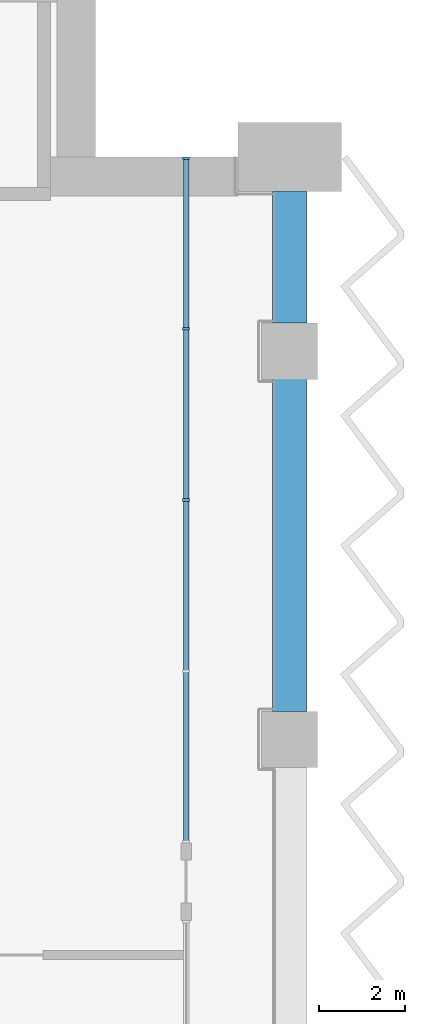
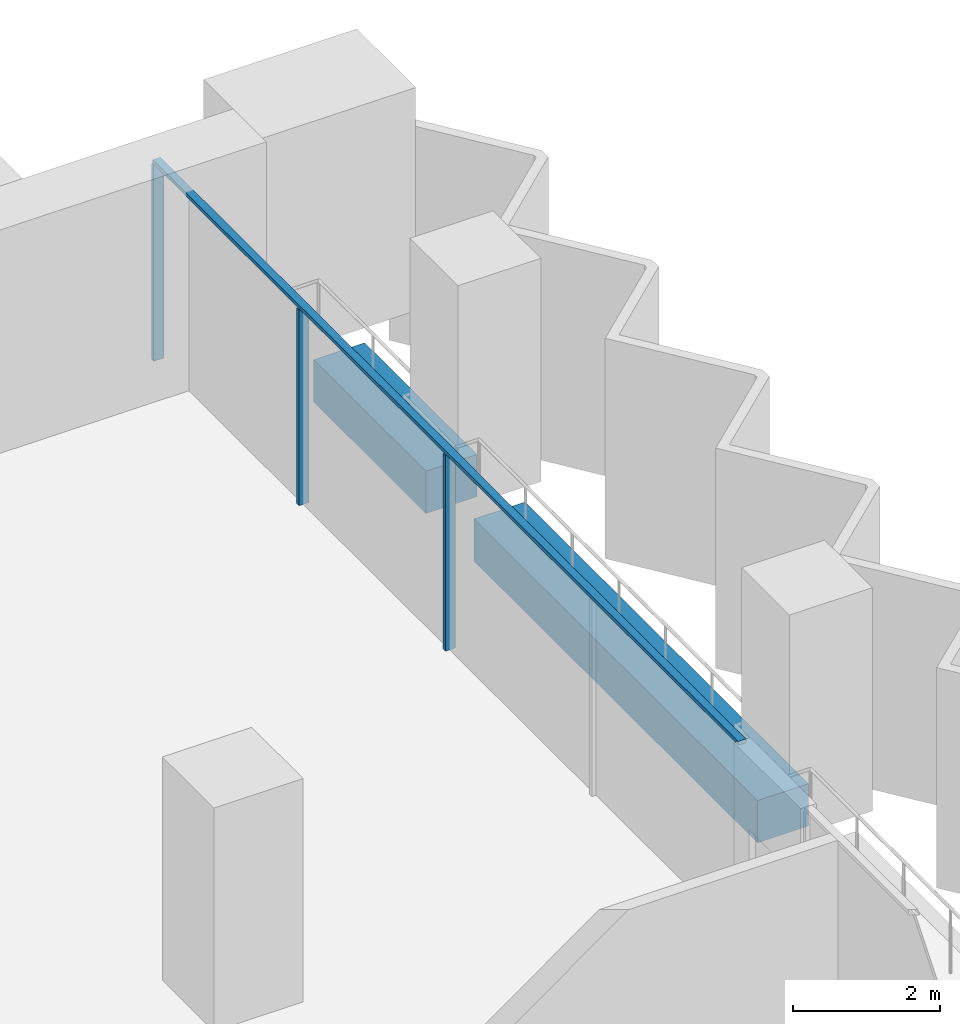
# One storey, part 7 of 29: 4 members, 2 beams, 1 element without a shape of its own.
"""IFC4 building model written with IfcOpenShell, lengths in metres."""

import ifcopenshell
import ifcopenshell.guid

model = None  # the IFC model being written
_history = None  # IfcOwnerHistory: only IFC2X3 demands one
_inside = {}  # id of a spatial element -> (the spatial element, [elements in it])
_under = {}  # id of a project, library or spatial element -> (it, [spatial elements below it])
_declared = {}  # id of a project -> (the project, [libraries it declares])
_typed = {}  # id of a type object -> (the type object, [elements of that type])
_made_of = {}  # id of a material, layer set ... -> (it, [elements and type objects made of it])


def new_model(schema):
    """Start an empty IFC model of exactly this schema.

    Asked for "IFC4X3", IfcOpenShell would pick the latest addendum, in which some entities
    have other attributes; the version numbers below select the first issue.
    IFC2X3 requires an IfcOwnerHistory on every rooted entity: one is made here for all.
    """
    global model, _history
    if schema == "IFC4X3":
        model = ifcopenshell.file(schema_version=(4, 3, 0, 0))
    else:
        model = ifcopenshell.file(schema=schema)
    _inside.clear()
    _under.clear()
    _declared.clear()
    _typed.clear()
    _made_of.clear()
    _history = None
    if model.schema == "IFC2X3":
        org = make("IfcOrganization", Name="unknown")
        user = make(
            "IfcPersonAndOrganization",
            ThePerson=make("IfcPerson", FamilyName="unknown"),
            TheOrganization=org,
        )
        app = make(
            "IfcApplication",
            ApplicationDeveloper=org,
            Version="unknown",
            ApplicationFullName="unknown",
            ApplicationIdentifier="unknown",
        )
        _history = make(
            "IfcOwnerHistory",
            OwningUser=user,
            OwningApplication=app,
            ChangeAction="ADDED",
            CreationDate=0,
        )
    return model


def make(cls, **values):
    """One entity of the class cls with the attributes given. An attribute that is None is left unset."""
    return model.create_entity(
        cls, **{name: value for name, value in values.items() if value is not None}
    )


def rooted(cls, **values):
    """An entity with a GlobalId (a new one), such as an element, a storey or a relation."""
    return make(cls, GlobalId=ifcopenshell.guid.new(), OwnerHistory=_history, **values)


def si_unit(unit_type, name, prefix=None):
    """IfcSIUnit, for example si_unit("LENGTHUNIT", "METRE", prefix="MILLI")."""
    return make("IfcSIUnit", UnitType=unit_type, Prefix=prefix, Name=name)


def assignment(units):
    """IfcUnitAssignment: the units of a project."""
    return None if units is None else make("IfcUnitAssignment", Units=units)


def point(xyz):
    """IfcCartesianPoint."""
    return None if xyz is None else make("IfcCartesianPoint", Coordinates=xyz)


def direction(xyz):
    """IfcDirection."""
    return None if xyz is None else make("IfcDirection", DirectionRatios=xyz)


def frame(location, z_axis=None, x_axis=None):
    """IfcAxis2Placement3D, a coordinate frame: its origin and axes. An axis left out is left unset."""
    return make(
        "IfcAxis2Placement3D",
        Location=point(location),
        Axis=direction(z_axis),
        RefDirection=direction(x_axis),
    )


def frame_2d(location, x_axis=None):
    """IfcAxis2Placement2D, a coordinate frame in the plane: its origin and x axis."""
    return make(
        "IfcAxis2Placement2D", Location=point(location), RefDirection=direction(x_axis)
    )


def origin():
    """The frame at (0, 0, 0) with its axes left unset."""
    return frame((0.0, 0.0, 0.0))


def origin_2d():
    """The frame at (0, 0) in the plane with its x axis left unset."""
    return frame_2d((0.0, 0.0))


def place(relative_to, where):
    """IfcLocalPlacement: puts the frame where relative to a parent placement (None: the world)."""
    return make(
        "IfcLocalPlacement", PlacementRelTo=relative_to, RelativePlacement=where
    )


def context(
    kind, dimensions, precision=None, world=None, true_north=None, identifier=None
):
    """IfcGeometricRepresentationContext, for example the 3D "Model" context."""
    return make(
        "IfcGeometricRepresentationContext",
        ContextIdentifier=identifier,
        ContextType=kind,
        CoordinateSpaceDimension=dimensions,
        Precision=precision,
        WorldCoordinateSystem=world,
        TrueNorth=true_north,
    )


def subcontext(parent, identifier, kind, view, scale=None):
    """IfcGeometricRepresentationSubContext, for example "Body" below "Model"."""
    return make(
        "IfcGeometricRepresentationSubContext",
        ContextIdentifier=identifier,
        ContextType=kind,
        ParentContext=parent,
        TargetScale=scale,
        TargetView=view,
    )


def project(units=None, contexts=None):
    """IfcProject with its units and contexts."""
    return rooted(
        "IfcProject",
        Name="project",
        RepresentationContexts=contexts,
        UnitsInContext=assignment(units),
    )


def spatial(cls, under=None, at=None, **own):
    """A site, building, storey or space (cls), placed at a placement, below another one or the project."""
    s = rooted(cls, ObjectPlacement=at, **own)
    if under is not None:
        _under.setdefault(under.id(), (under, []))[1].append(s)
    return s


def profile(cls, at=None, kind="AREA", **sizes):
    """A parametric profile (cls). Its sizes go by their IFC names, for example OverallWidth=200.0."""
    return make(cls, ProfileType=kind, Position=at, **sizes)


def rectangle(**sizes):
    """IfcRectangleProfileDef."""
    return profile("IfcRectangleProfileDef", **sizes)


def extrude(swept, where, along, depth):
    """IfcExtrudedAreaSolid: the profile swept, set in the frame where, extruded along a direction by depth."""
    return make(
        "IfcExtrudedAreaSolid",
        SweptArea=swept,
        Position=where,
        ExtrudedDirection=direction(along),
        Depth=depth,
    )


def shape(context_of_items, identifier, shape_type, items):
    """IfcShapeRepresentation: the items that make up one representation, for example the "Body"."""
    return make(
        "IfcShapeRepresentation",
        ContextOfItems=context_of_items,
        RepresentationIdentifier=identifier,
        RepresentationType=shape_type,
        Items=items,
    )


def material(Name=None, Category=None):
    """IfcMaterial."""
    return make("IfcMaterial", Name=Name, Category=Category)


def material_profile(
    of_material, cross_section, Name=None, Category=None, Priority=None
):
    """IfcMaterialProfile: a cross section and its material."""
    return make(
        "IfcMaterialProfile",
        Name=Name,
        Material=of_material,
        Profile=cross_section,
        Priority=Priority,
        Category=Category,
    )


def profile_set(profiles, Name=None, composite=None):
    """IfcMaterialProfileSet."""
    return make(
        "IfcMaterialProfileSet",
        Name=Name,
        MaterialProfiles=profiles,
        CompositeProfile=composite,
    )


def made_of(thing, what):
    """Note that an element or type object is made of a material, layer set ...; save() writes the relation."""
    if what is not None:
        _made_of.setdefault(what.id(), (what, []))[1].append(thing)
    return thing


def type_object(cls, material=None, **own):
    """A type object (cls), such as IfcWallType, which elements share."""
    return made_of(rooted(cls, **own), material)


def element(
    cls,
    number,
    at=None,
    inside=None,
    cuts=None,
    type_object=None,
    material=None,
    context=None,
    identifier="Body",
    shape_type=None,
    held_by="IfcProductDefinitionShape",
    body=None,
    shapes=None,
    **own,
):
    """One element of the class cls, such as IfcWall. Its Tag is "e" and its number.

    at: its placement. inside: the storey or other place that contains it. cuts: it is an
    opening in that element (IfcRelVoidsElement). A single representation is given by context,
    identifier, shape_type and body (its items); several are given by shapes. held_by: the class
    of the entity that holds the representations. save() writes the other relations.
    """
    e = rooted(cls, Tag="e%d" % number, ObjectPlacement=at, **own)
    if body is not None:
        shapes = [shape(context, identifier, shape_type, body)]
    if shapes is not None:
        e.Representation = make(held_by, Representations=shapes)
    if inside is not None:
        _inside.setdefault(inside.id(), (inside, []))[1].append(e)
    if cuts is not None:
        rooted(
            "IfcRelVoidsElement", RelatingBuildingElement=cuts, RelatedOpeningElement=e
        )
    if type_object is not None:
        _typed.setdefault(type_object.id(), (type_object, []))[1].append(e)
    return made_of(e, material)


def aggregate(whole, parts):
    """IfcRelAggregates: a whole, such as a stair, and the parts it consists of."""
    return rooted("IfcRelAggregates", RelatingObject=whole, RelatedObjects=parts)


def save(model, path):
    """Write the relations noted so far, then the file.

    IfcRelAggregates (storeys below a building ...), IfcRelContainedInSpatialStructure (elements
    in a storey), IfcRelDefinesByType, IfcRelAssociatesMaterial and IfcRelDeclares: one each for
    every whole, place, type object, material and project.
    """
    for whole, parts in _under.values():
        aggregate(whole, parts)
    for where, things in _inside.values():
        rooted(
            "IfcRelContainedInSpatialStructure",
            RelatedElements=things,
            RelatingStructure=where,
        )
    for kind, things in _typed.values():
        rooted("IfcRelDefinesByType", RelatedObjects=things, RelatingType=kind)
    for what, things in _made_of.values():
        rooted("IfcRelAssociatesMaterial", RelatedObjects=things, RelatingMaterial=what)
    for by, libraries in _declared.values():
        rooted("IfcRelDeclares", RelatingContext=by, RelatedDefinitions=libraries)
    model.write(path)


model = new_model("IFC4")

# Units and contexts
model_context = context("Model", 3, precision=1e-05, world=origin(), true_north=direction((0.0, 1.0)))
body_context = subcontext(model_context, "Body", "Model", "MODEL_VIEW")
ifc_project = project(units=[si_unit("LENGTHUNIT", "METRE"), si_unit("AREAUNIT", "SQUARE_METRE"), si_unit("VOLUMEUNIT", "CUBIC_METRE"), si_unit("PLANEANGLEUNIT", "RADIAN"), si_unit("MASSUNIT", "GRAM", prefix="KILO")], contexts=[model_context])

# Site, building, storey
site_placement = place(None, origin())
site = spatial("IfcSite", under=ifc_project, at=site_placement, CompositionType="ELEMENT")
building_placement = place(site_placement, origin())
building = spatial("IfcBuilding", under=site, at=building_placement, Name="Hunhe Ridgeline Campus", CompositionType="ELEMENT")
storey_placement = place(building_placement, frame((0.0, 0.0, 50.60009765625)))
storey = spatial("IfcBuildingStorey", under=building, at=storey_placement, Name="L11", CompositionType="ELEMENT", Elevation=50.60009765625)

# Curtain wall, members
ifc_material_1 = material(Name="Aluminium 6063", Category="aluminium")
curtain_wall_type = type_object("IfcCurtainWallType", Name="Curtain wall CW-1", PredefinedType="NOTDEFINED", material=ifc_material_1)
curtain_wall_placement = place(storey_placement, origin())
curtain_wall = element("IfcCurtainWall", 1, at=curtain_wall_placement, inside=storey, type_object=curtain_wall_type, Name="Curtain wall 15", PredefinedType="NOTDEFINED")
ifc_material_profile_1 = material_profile(ifc_material_1, rectangle(XDim=0.159912109375, YDim=0.06005859375, at=origin_2d()))
ifc_profile_set_1 = profile_set([ifc_material_profile_1], Name="Aluminium 6063")
member_type_1 = type_object("IfcMemberType", Name="CW-1 aluminium mullion", PredefinedType="MULLION", material=ifc_profile_set_1)
member_1_placement = place(storey_placement, frame((96.59912109375, 86.55029296875, 0.0), z_axis=(0.0, 0.0, 1.0), x_axis=(-1.0, 0.0, 0.0)))
member_1 = element("IfcMember", 2, at=member_1_placement, type_object=member_type_1, Name="CW-1 mullion 3", PredefinedType="MULLION", context=body_context, shape_type="SweptSolid", body=[
    extrude(rectangle(XDim=0.159912109375, YDim=0.06005859375, at=origin_2d()), origin(), (0.0, 0.0, 1.0), 3.239990234375),
])
member_2_placement = place(storey_placement, frame((96.59912109375, 90.525146484375, 0.0), z_axis=(0.0, 0.0, 1.0), x_axis=(-1.0, 0.0, 0.0)))
member_2 = element("IfcMember", 3, at=member_2_placement, type_object=member_type_1, Name="CW-1 mullion 4", PredefinedType="MULLION", context=body_context, shape_type="SweptSolid", body=[
    extrude(rectangle(XDim=0.159912109375, YDim=0.06005859375, at=origin_2d()), origin(), (0.0, 0.0, 1.0), 3.239990234375),
])
member_3_placement = place(storey_placement, frame((96.59912109375, 94.469970703125, 0.0), z_axis=(0.0, 0.0, 1.0), x_axis=(-1.0, 0.0, 0.0)))
member_3 = element("IfcMember", 4, at=member_3_placement, type_object=member_type_1, Name="CW-1 mullion 5", PredefinedType="MULLION", context=body_context, shape_type="SweptSolid", body=[
    extrude(rectangle(XDim=0.159912109375, YDim=0.06005859375, at=origin_2d()), origin(), (0.0, 0.0, 1.0), 3.239990234375),
])
ifc_material_profile_2 = material_profile(ifc_material_1, rectangle(XDim=0.1201171875, YDim=0.06005859375, at=origin_2d()))
ifc_profile_set_2 = profile_set([ifc_material_profile_2], Name="Aluminium 6063")
member_type_2 = type_object("IfcMemberType", Name="CW-1 aluminium transom", PredefinedType="USERDEFINED", material=ifc_profile_set_2)
member_4_placement = place(storey_placement, frame((96.59912109375, 78.6005859375, 3.27001953125), z_axis=(0.0, 1.0, 0.0), x_axis=(-1.0, 0.0, 0.0)))
member_4 = element("IfcMember", 5, at=member_4_placement, type_object=member_type_2, Name="CW-1 transom 1", ObjectType="TRANSOM", PredefinedType="USERDEFINED", context=body_context, shape_type="SweptSolid", body=[
    extrude(rectangle(XDim=0.1201171875, YDim=0.06005859375, at=origin_2d()), origin(), (0.0, 0.0, 1.0), 15.8994140625),
])
aggregate(curtain_wall, [member_4, member_1, member_2, member_3])

# Beams
ifc_material_2 = material(Name="Concrete C60", Category="concrete")
ifc_material_profile_3 = material_profile(ifc_material_2, rectangle(XDim=0.800048828125, YDim=0.699951171875, at=origin_2d()))
ifc_profile_set_3 = profile_set([ifc_material_profile_3], Name="Concrete C60")
beam_type = type_object("IfcBeamType", Name="RC spandrel beam 800x700 Concrete C60", PredefinedType="SPANDREL", material=ifc_profile_set_3)
beam_1_placement = place(storey_placement, frame((99.0, 81.64990234375, -0.60009765625), z_axis=(0.0, 1.0, 0.0), x_axis=(-1.0, 0.0, 0.0)))
element("IfcBeam", 6, at=beam_1_placement, inside=storey, type_object=beam_type, Name="Spandrel beam B1-23 L11", PredefinedType="SPANDREL", context=body_context, shape_type="SweptSolid", body=[
    extrude(rectangle(XDim=0.800048828125, YDim=0.699951171875, at=origin_2d()), origin(), (0.0, 0.0, 1.0), 7.7001953125),
])
beam_2_placement = place(storey_placement, frame((99.0, 90.64990234375, -0.60009765625), z_axis=(0.0, 1.0, 0.0), x_axis=(-1.0, 0.0, 0.0)))
element("IfcBeam", 7, at=beam_2_placement, inside=storey, type_object=beam_type, Name="Spandrel beam B1-24 L11", PredefinedType="SPANDREL", context=body_context, shape_type="SweptSolid", body=[
    extrude(rectangle(XDim=0.800048828125, YDim=0.699951171875, at=origin_2d()), origin(), (0.0, 0.0, 1.0), 3.050048828125),
])

save(model, "model.ifc")
